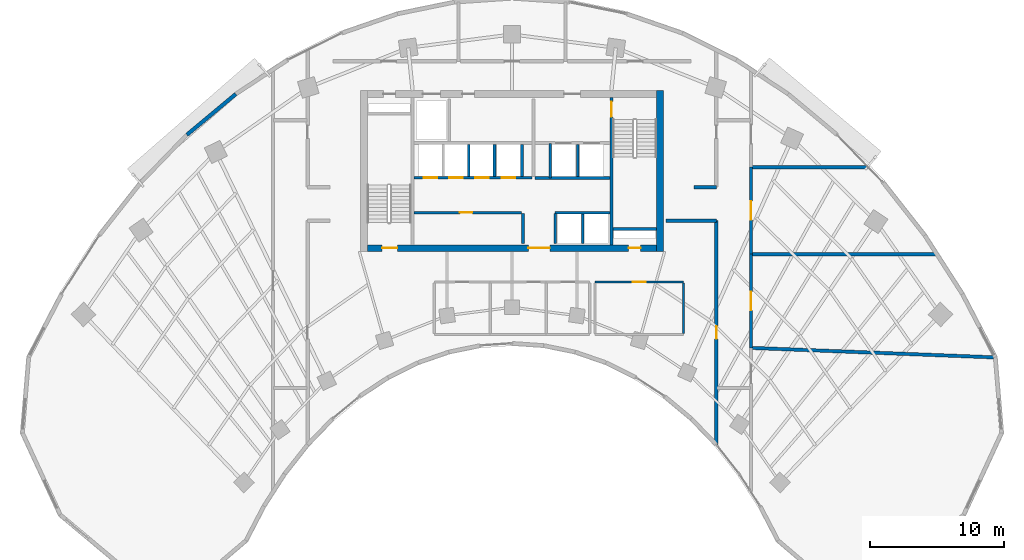
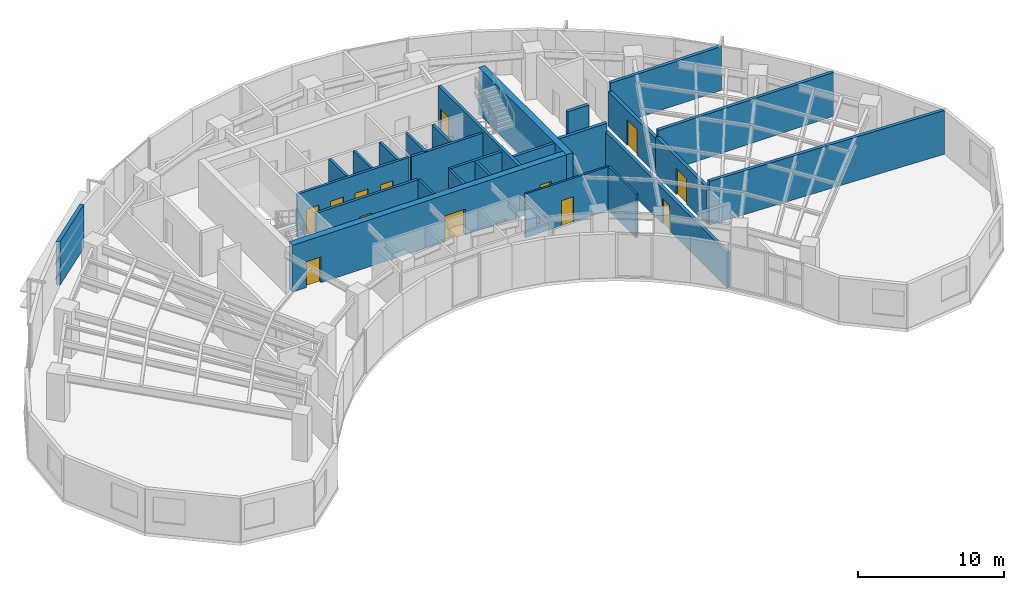
# One storey, part 9 of 13: 27 walls, 13 doors, 13 openings.
"""IFC4 building model written with IfcOpenShell, lengths in metres."""

import ifcopenshell
import ifcopenshell.guid

model = None  # the IFC model being written
_history = None  # IfcOwnerHistory: only IFC2X3 demands one
_inside = {}  # id of a spatial element -> (the spatial element, [elements in it])
_under = {}  # id of a project, library or spatial element -> (it, [spatial elements below it])
_declared = {}  # id of a project -> (the project, [libraries it declares])
_typed = {}  # id of a type object -> (the type object, [elements of that type])
_made_of = {}  # id of a material, layer set ... -> (it, [elements and type objects made of it])


def new_model(schema):
    """Start an empty IFC model of exactly this schema.

    Asked for "IFC4X3", IfcOpenShell would pick the latest addendum, in which some entities
    have other attributes; the version numbers below select the first issue.
    IFC2X3 requires an IfcOwnerHistory on every rooted entity: one is made here for all.
    """
    global model, _history
    if schema == "IFC4X3":
        model = ifcopenshell.file(schema_version=(4, 3, 0, 0))
    else:
        model = ifcopenshell.file(schema=schema)
    _inside.clear()
    _under.clear()
    _declared.clear()
    _typed.clear()
    _made_of.clear()
    _history = None
    if model.schema == "IFC2X3":
        org = make("IfcOrganization", Name="unknown")
        user = make(
            "IfcPersonAndOrganization",
            ThePerson=make("IfcPerson", FamilyName="unknown"),
            TheOrganization=org,
        )
        app = make(
            "IfcApplication",
            ApplicationDeveloper=org,
            Version="unknown",
            ApplicationFullName="unknown",
            ApplicationIdentifier="unknown",
        )
        _history = make(
            "IfcOwnerHistory",
            OwningUser=user,
            OwningApplication=app,
            ChangeAction="ADDED",
            CreationDate=0,
        )
    return model


def make(cls, **values):
    """One entity of the class cls with the attributes given. An attribute that is None is left unset."""
    return model.create_entity(
        cls, **{name: value for name, value in values.items() if value is not None}
    )


def rooted(cls, **values):
    """An entity with a GlobalId (a new one), such as an element, a storey or a relation."""
    return make(cls, GlobalId=ifcopenshell.guid.new(), OwnerHistory=_history, **values)


def si_unit(unit_type, name, prefix=None):
    """IfcSIUnit, for example si_unit("LENGTHUNIT", "METRE", prefix="MILLI")."""
    return make("IfcSIUnit", UnitType=unit_type, Prefix=prefix, Name=name)


def assignment(units):
    """IfcUnitAssignment: the units of a project."""
    return None if units is None else make("IfcUnitAssignment", Units=units)


def point(xyz):
    """IfcCartesianPoint."""
    return None if xyz is None else make("IfcCartesianPoint", Coordinates=xyz)


def direction(xyz):
    """IfcDirection."""
    return None if xyz is None else make("IfcDirection", DirectionRatios=xyz)


def frame(location, z_axis=None, x_axis=None):
    """IfcAxis2Placement3D, a coordinate frame: its origin and axes. An axis left out is left unset."""
    return make(
        "IfcAxis2Placement3D",
        Location=point(location),
        Axis=direction(z_axis),
        RefDirection=direction(x_axis),
    )


def frame_2d(location, x_axis=None):
    """IfcAxis2Placement2D, a coordinate frame in the plane: its origin and x axis."""
    return make(
        "IfcAxis2Placement2D", Location=point(location), RefDirection=direction(x_axis)
    )


def origin():
    """The frame at (0, 0, 0) with its axes left unset."""
    return frame((0.0, 0.0, 0.0))


def place(relative_to, where):
    """IfcLocalPlacement: puts the frame where relative to a parent placement (None: the world)."""
    return make(
        "IfcLocalPlacement", PlacementRelTo=relative_to, RelativePlacement=where
    )


def context(
    kind, dimensions, precision=None, world=None, true_north=None, identifier=None
):
    """IfcGeometricRepresentationContext, for example the 3D "Model" context."""
    return make(
        "IfcGeometricRepresentationContext",
        ContextIdentifier=identifier,
        ContextType=kind,
        CoordinateSpaceDimension=dimensions,
        Precision=precision,
        WorldCoordinateSystem=world,
        TrueNorth=true_north,
    )


def subcontext(parent, identifier, kind, view, scale=None):
    """IfcGeometricRepresentationSubContext, for example "Body" below "Model"."""
    return make(
        "IfcGeometricRepresentationSubContext",
        ContextIdentifier=identifier,
        ContextType=kind,
        ParentContext=parent,
        TargetScale=scale,
        TargetView=view,
    )


def project(units=None, contexts=None):
    """IfcProject with its units and contexts."""
    return rooted(
        "IfcProject",
        Name="project",
        RepresentationContexts=contexts,
        UnitsInContext=assignment(units),
    )


def spatial(cls, under=None, at=None, **own):
    """A site, building, storey or space (cls), placed at a placement, below another one or the project."""
    s = rooted(cls, ObjectPlacement=at, **own)
    if under is not None:
        _under.setdefault(under.id(), (under, []))[1].append(s)
    return s


def profile(cls, at=None, kind="AREA", **sizes):
    """A parametric profile (cls). Its sizes go by their IFC names, for example OverallWidth=200.0."""
    return make(cls, ProfileType=kind, Position=at, **sizes)


def rectangle(**sizes):
    """IfcRectangleProfileDef."""
    return profile("IfcRectangleProfileDef", **sizes)


def extrude(swept, where, along, depth):
    """IfcExtrudedAreaSolid: the profile swept, set in the frame where, extruded along a direction by depth."""
    return make(
        "IfcExtrudedAreaSolid",
        SweptArea=swept,
        Position=where,
        ExtrudedDirection=direction(along),
        Depth=depth,
    )


def shape(context_of_items, identifier, shape_type, items):
    """IfcShapeRepresentation: the items that make up one representation, for example the "Body"."""
    return make(
        "IfcShapeRepresentation",
        ContextOfItems=context_of_items,
        RepresentationIdentifier=identifier,
        RepresentationType=shape_type,
        Items=items,
    )


def source(mapping_origin, context_of_items, identifier, shape_type, items):
    """IfcRepresentationMap: a shape defined once, which mapped items show again and again."""
    return make(
        "IfcRepresentationMap",
        MappingOrigin=mapping_origin,
        MappedRepresentation=shape(context_of_items, identifier, shape_type, items),
    )


def transform(
    local_origin,
    x_axis=None,
    y_axis=None,
    z_axis=None,
    scale=None,
    scale2=None,
    scale3=None,
    uniform=True,
):
    """IfcCartesianTransformationOperator3D, or its non-uniform kind. x_axis, y_axis, z_axis: its Axis1, 2, 3."""
    if uniform:
        return make(
            "IfcCartesianTransformationOperator3D",
            Axis1=direction(x_axis),
            Axis2=direction(y_axis),
            LocalOrigin=point(local_origin),
            Scale=scale,
            Axis3=direction(z_axis),
        )
    return make(
        "IfcCartesianTransformationOperator3DnonUniform",
        Axis1=direction(x_axis),
        Axis2=direction(y_axis),
        LocalOrigin=point(local_origin),
        Scale=scale,
        Axis3=direction(z_axis),
        Scale2=scale2,
        Scale3=scale3,
    )


def mapped(mapping_source, mapping_target):
    """IfcMappedItem: shows the shape of a source again, moved by a transform."""
    return make(
        "IfcMappedItem", MappingSource=mapping_source, MappingTarget=mapping_target
    )


def material(Name=None, Category=None):
    """IfcMaterial."""
    return make("IfcMaterial", Name=Name, Category=Category)


def layer(
    of_material, thickness, ventilated=None, Name=None, Category=None, Priority=None
):
    """IfcMaterialLayer: one layer of a wall or slab, of a material (None: an air gap)."""
    return make(
        "IfcMaterialLayer",
        Material=of_material,
        LayerThickness=thickness,
        IsVentilated=ventilated,
        Name=Name,
        Category=Category,
        Priority=Priority,
    )


def layer_set(layers, Name=None):
    """IfcMaterialLayerSet."""
    return make("IfcMaterialLayerSet", MaterialLayers=layers, LayerSetName=Name)


def made_of(thing, what):
    """Note that an element or type object is made of a material, layer set ...; save() writes the relation."""
    if what is not None:
        _made_of.setdefault(what.id(), (what, []))[1].append(thing)
    return thing


def type_object(cls, material=None, **own):
    """A type object (cls), such as IfcWallType, which elements share."""
    return made_of(rooted(cls, **own), material)


def type_shapes(of_type, sources):
    """Give a type object the sources (RepresentationMaps) that its elements show as mapped items."""
    of_type.RepresentationMaps = sources


def element(
    cls,
    number,
    at=None,
    inside=None,
    cuts=None,
    type_object=None,
    material=None,
    context=None,
    identifier="Body",
    shape_type=None,
    held_by="IfcProductDefinitionShape",
    body=None,
    shapes=None,
    **own,
):
    """One element of the class cls, such as IfcWall. Its Tag is "e" and its number.

    at: its placement. inside: the storey or other place that contains it. cuts: it is an
    opening in that element (IfcRelVoidsElement). A single representation is given by context,
    identifier, shape_type and body (its items); several are given by shapes. held_by: the class
    of the entity that holds the representations. save() writes the other relations.
    """
    e = rooted(cls, Tag="e%d" % number, ObjectPlacement=at, **own)
    if body is not None:
        shapes = [shape(context, identifier, shape_type, body)]
    if shapes is not None:
        e.Representation = make(held_by, Representations=shapes)
    if inside is not None:
        _inside.setdefault(inside.id(), (inside, []))[1].append(e)
    if cuts is not None:
        rooted(
            "IfcRelVoidsElement", RelatingBuildingElement=cuts, RelatedOpeningElement=e
        )
    if type_object is not None:
        _typed.setdefault(type_object.id(), (type_object, []))[1].append(e)
    return made_of(e, material)


def fill(opening, filler):
    """IfcRelFillsElement: the door or window that sits in an opening."""
    return rooted(
        "IfcRelFillsElement",
        RelatingOpeningElement=opening,
        RelatedBuildingElement=filler,
    )


def aggregate(whole, parts):
    """IfcRelAggregates: a whole, such as a stair, and the parts it consists of."""
    return rooted("IfcRelAggregates", RelatingObject=whole, RelatedObjects=parts)


def save(model, path):
    """Write the relations noted so far, then the file.

    IfcRelAggregates (storeys below a building ...), IfcRelContainedInSpatialStructure (elements
    in a storey), IfcRelDefinesByType, IfcRelAssociatesMaterial and IfcRelDeclares: one each for
    every whole, place, type object, material and project.
    """
    for whole, parts in _under.values():
        aggregate(whole, parts)
    for where, things in _inside.values():
        rooted(
            "IfcRelContainedInSpatialStructure",
            RelatedElements=things,
            RelatingStructure=where,
        )
    for kind, things in _typed.values():
        rooted("IfcRelDefinesByType", RelatedObjects=things, RelatingType=kind)
    for what, things in _made_of.values():
        rooted("IfcRelAssociatesMaterial", RelatedObjects=things, RelatingMaterial=what)
    for by, libraries in _declared.values():
        rooted("IfcRelDeclares", RelatingContext=by, RelatedDefinitions=libraries)
    model.write(path)


model = new_model("IFC4")

# Units and contexts
model_context = context("Model", 3, precision=1e-05, world=origin(), true_north=direction((0.0, 1.0)))
body_context = subcontext(model_context, "Body", "Model", "MODEL_VIEW")
ifc_project = project(units=[si_unit("LENGTHUNIT", "METRE"), si_unit("AREAUNIT", "SQUARE_METRE"), si_unit("VOLUMEUNIT", "CUBIC_METRE"), si_unit("PLANEANGLEUNIT", "RADIAN"), si_unit("MASSUNIT", "GRAM", prefix="KILO")], contexts=[model_context])

# Site, building, storey
site_placement = place(None, origin())
site = spatial("IfcSite", under=ifc_project, at=site_placement, CompositionType="ELEMENT")
building_placement = place(site_placement, origin())
building = spatial("IfcBuilding", under=site, at=building_placement, Name="Breltana Convention Tower", CompositionType="ELEMENT")
storey_placement = place(building_placement, frame((0.0, 0.0, 127.199951171875)))
storey = spatial("IfcBuildingStorey", under=building, at=storey_placement, Name="L30", CompositionType="ELEMENT", Elevation=127.199951171875)

# Wall
ifc_material_1 = material(Name="Concrete C60/75", Category="concrete")
ifc_layer_1 = layer(ifc_material_1, 0.5, Name="Concrete C60/75")
ifc_layer_set_1 = layer_set([ifc_layer_1], Name="Concrete C60/75")
wall_type_1 = type_object("IfcWallType", Name="SW-CORE-500", PredefinedType="SHEAR", material=ifc_layer_set_1)
shared_shape_1 = source(origin(), body_context, "Body", "SweptSolid", [
    extrude(rectangle(XDim=12.0, YDim=0.5, at=frame_2d((6.0, 0.0))), origin(), (0.0, 0.0, 1.0), 3.900146484375),
])
wall_1_placement = place(storey_placement, frame((59.050048828125, 60.199951171875, 0.0), z_axis=(0.0, 0.0, 1.0), x_axis=(0.0, 1.0, 0.0)))
element("IfcWall", 1, at=wall_1_placement, inside=storey, type_object=wall_type_1, Name="L30 East Core Shear Wall", PredefinedType="SHEAR", context=body_context, shape_type="MappedRepresentation", body=[
    mapped(shared_shape_1, transform((0.0, 0.0, 0.0), scale=1.0)),
])

# Wall, openings, doors
shared_shape_2 = source(origin(), body_context, "Body", "SweptSolid", [
    extrude(rectangle(XDim=21.60009765625, YDim=0.5, at=frame_2d((10.800048828125, 0.0))), origin(), (0.0, 0.0, 1.0), 3.900146484375),
])
wall_2_placement = place(storey_placement, frame((37.199951171875, 60.449951171875, 0.0), z_axis=(0.0, 0.0, 1.0), x_axis=(1.0, 0.0, 0.0)))
wall_2 = element("IfcWall", 2, at=wall_2_placement, inside=storey, type_object=wall_type_1, Name="L30 South Core Shear Wall", PredefinedType="SHEAR", context=body_context, shape_type="MappedRepresentation", body=[
    mapped(shared_shape_2, transform((0.0, 0.0, 0.0), scale=1.0)),
])
opening_1_placement = place(wall_2_placement, frame((1.10009765625, 0.0, 0.0)))
opening_1 = element("IfcOpeningElement", 3, at=opening_1_placement, cuts=wall_2, Name="Opening D-11", PredefinedType="OPENING", context=body_context, shape_type="SweptSolid", body=[
    extrude(rectangle(XDim=1.14990234375, YDim=2.14990234375, at=frame_2d((0.574951171875, 1.074951171875))), frame((0.0, 0.260009765625, 0.0), z_axis=(0.0, -1.0, 0.0), x_axis=(1.0, 0.0, 0.0)), (0.0, 0.0, 1.0), 0.52001953125),
])
opening_2_placement = place(wall_2_placement, frame((19.5, 0.0, 0.0)))
opening_2 = element("IfcOpeningElement", 4, at=opening_2_placement, cuts=wall_2, Name="Opening D-18", PredefinedType="OPENING", context=body_context, shape_type="SweptSolid", body=[
    extrude(rectangle(XDim=0.89990234375, YDim=2.10009765625, at=frame_2d((0.449951171875, 1.050048828125))), frame((0.0, 0.260009765625, 0.0), z_axis=(0.0, -1.0, 0.0), x_axis=(1.0, 0.0, 0.0)), (0.0, 0.0, 1.0), 0.52001953125),
])
opening_3_placement = place(wall_2_placement, frame((12.02001953125, 0.0, 0.0)))
opening_3 = element("IfcOpeningElement", 5, at=opening_3_placement, cuts=wall_2, Name="Opening D-02", PredefinedType="OPENING", context=body_context, shape_type="SweptSolid", body=[
    extrude(rectangle(XDim=1.60009765625, YDim=2.14990234375, at=frame_2d((0.800048828125, 1.074951171875))), frame((0.0, 0.260009765625, 0.0), z_axis=(0.0, -1.0, 0.0), x_axis=(1.0, 0.0, 0.0)), (0.0, 0.0, 1.0), 0.52001953125),
])
ifc_material_2 = material(Name="Steel Stair Exit Door", Category="steel")
door_type_1 = type_object("IfcDoorType", Name="DR-FD120-1150", OperationType="NOTDEFINED", PredefinedType="DOOR", material=ifc_material_2)
shared_shape_3 = source(origin(), body_context, "Body", "SweptSolid", [
    extrude(rectangle(XDim=1.14990234375, YDim=2.14990234375, at=frame_2d((0.574951171875, 1.074951171875))), frame((0.0, 0.02490234375, 0.0), z_axis=(0.0, -1.0, 0.0), x_axis=(1.0, 0.0, 0.0)), (0.0, 0.0, 1.0), 0.050048828125),
])
type_shapes(door_type_1, [shared_shape_3])
door_1_placement = place(opening_1_placement, origin())
door_1 = element("IfcDoor", 6, at=door_1_placement, inside=storey, type_object=door_type_1, Name="L30 interior door D-L30-ST1", OperationType="SINGLE_SWING_LEFT", OverallHeight=2.14990234375, OverallWidth=1.14990234375, PredefinedType="DOOR", context=body_context, shape_type="MappedRepresentation", body=[
    mapped(shared_shape_3, transform((0.0, 0.0, 0.0), scale=1.0)),
])
fill(opening_1, door_1)
ifc_material_3 = material(Name="Steel Riser Fire Door", Category="steel")
door_type_2 = type_object("IfcDoorType", Name="DR-FD60-900", OperationType="NOTDEFINED", PredefinedType="DOOR", material=ifc_material_3)
shared_shape_4 = source(origin(), body_context, "Body", "SweptSolid", [
    extrude(rectangle(XDim=0.89990234375, YDim=2.10009765625, at=frame_2d((0.449951171875, 1.050048828125))), frame((0.0, 0.02490234375, 0.0), z_axis=(0.0, -1.0, 0.0), x_axis=(1.0, 0.0, 0.0)), (0.0, 0.0, 1.0), 0.050048828125),
])
type_shapes(door_type_2, [shared_shape_4])
door_2_placement = place(opening_2_placement, origin())
door_2 = element("IfcDoor", 7, at=door_2_placement, inside=storey, type_object=door_type_2, Name="L30 Core Riser Access Door D-L30-RS2", OperationType="SINGLE_SWING_RIGHT", OverallHeight=2.10009765625, OverallWidth=0.89990234375, PredefinedType="DOOR", context=body_context, shape_type="MappedRepresentation", body=[
    mapped(shared_shape_4, transform((0.0, 0.0, 0.0), scale=1.0)),
])
fill(opening_2, door_2)
ifc_material_4 = material(Name="Steel Glazed Smoke-Control Door", Category="steel")
door_type_3 = type_object("IfcDoorType", Name="DR-DBL-FD90-1600", OperationType="DOUBLE_DOOR_SINGLE_SWING", PredefinedType="DOOR", material=ifc_material_4)
shared_shape_5 = source(origin(), body_context, "Body", "SweptSolid", [
    extrude(rectangle(XDim=1.60009765625, YDim=2.14990234375, at=frame_2d((0.800048828125, 1.074951171875))), frame((0.0, 0.02490234375, 0.0), z_axis=(0.0, -1.0, 0.0), x_axis=(1.0, 0.0, 0.0)), (0.0, 0.0, 1.0), 0.050048828125),
])
type_shapes(door_type_3, [shared_shape_5])
door_3_placement = place(opening_3_placement, origin())
door_3 = element("IfcDoor", 8, at=door_3_placement, inside=storey, type_object=door_type_3, Name="L30 interior door D-L30-LLB-S", OperationType="DOUBLE_DOOR_SINGLE_SWING", OverallHeight=2.14990234375, OverallWidth=1.60009765625, PredefinedType="DOOR", context=body_context, shape_type="MappedRepresentation", body=[
    mapped(shared_shape_5, transform((0.0, 0.0, 0.0), scale=1.0)),
])
fill(opening_3, door_3)

# Wall
ifc_material_5 = material(Name="Concrete C50/60", Category="concrete")
ifc_layer_2 = layer(ifc_material_5, 0.39990234375, Name="Concrete C50/60")
ifc_layer_set_2 = layer_set([ifc_layer_2], Name="Concrete C50/60")
wall_type_2 = type_object("IfcWallType", Name="SW-CORE-400", PredefinedType="SHEAR", material=ifc_layer_set_2)
shared_shape_6 = source(origin(), body_context, "Body", "SweptSolid", [
    extrude(rectangle(XDim=3.27001953125, YDim=0.219970703125, at=frame_2d((1.635009765625, 0.0))), origin(), (0.0, 0.0, 1.0), 3.900146484375),
])
wall_3_placement = place(storey_placement, frame((55.530029296875, 61.889892578125, 0.0), z_axis=(0.0, 0.0, 1.0), x_axis=(1.0, 0.0, 0.0)))
element("IfcWall", 9, at=wall_3_placement, inside=storey, type_object=wall_type_2, Name="L30 ST-2 Stairwell South Bearing Wall", PredefinedType="SHEAR", context=body_context, shape_type="MappedRepresentation", body=[
    mapped(shared_shape_6, transform((0.0, 0.0, 0.0), scale=1.0)),
])

# Wall, opening, door
shared_shape_7 = source(origin(), body_context, "Body", "SweptSolid", [
    extrude(rectangle(XDim=11.0, YDim=0.219970703125, at=frame_2d((5.5, 0.0))), origin(), (0.0, 0.0, 1.0), 3.900146484375),
])
wall_4_placement = place(storey_placement, frame((55.419921875, 60.699951171875, 0.0), z_axis=(0.0, 0.0, 1.0), x_axis=(0.0, 1.0, 0.0)))
wall_4 = element("IfcWall", 10, at=wall_4_placement, inside=storey, type_object=wall_type_2, Name="L30 Core East Stair Spine Wall", PredefinedType="SHEAR", context=body_context, shape_type="MappedRepresentation", body=[
    mapped(shared_shape_7, transform((0.0, 0.0, 0.0), scale=1.0)),
])
opening_4_placement = place(wall_4_placement, frame((9.544921875, 0.0, 0.0)))
opening_4 = element("IfcOpeningElement", 11, at=opening_4_placement, cuts=wall_4, Name="Opening D-11", PredefinedType="OPENING", context=body_context, shape_type="SweptSolid", body=[
    extrude(rectangle(XDim=1.14990234375, YDim=2.14990234375, at=frame_2d((0.574951171875, 1.074951171875))), frame((0.0, 0.1201171875, 0.0), z_axis=(0.0, -1.0, 0.0), x_axis=(1.0, 0.0, 0.0)), (0.0, 0.0, 1.0), 0.239990234375),
])
door_4_placement = place(opening_4_placement, origin())
door_4 = element("IfcDoor", 12, at=door_4_placement, inside=storey, type_object=door_type_1, Name="L30 interior door D-L30-ST2", OperationType="SINGLE_SWING_LEFT", OverallHeight=2.14990234375, OverallWidth=1.14990234375, PredefinedType="DOOR", context=body_context, shape_type="MappedRepresentation", body=[
    mapped(shared_shape_3, transform((0.0, 0.0, 0.0), scale=1.0)),
])
fill(opening_4, door_4)

# Walls
ifc_material_6 = material(Name="Limestone Buff Insulated Wall", Category="masonry")
ifc_layer_3 = layer(ifc_material_6, 0.280029296875, Name="Limestone Buff Insulated Wall")
ifc_layer_set_3 = layer_set([ifc_layer_3], Name="Limestone Buff Insulated Wall")
wall_type_3 = type_object("IfcWallType", Name="WL-EXT-NOSE-280", PredefinedType="SOLIDWALL", material=ifc_layer_set_3)
shared_shape_8 = source(origin(), body_context, "Body", "SweptSolid", [
    extrude(rectangle(XDim=4.76220703125, YDim=0.280029296875, at=frame_2d((2.381103515625, 0.0))), origin(), (0.0, 0.0, 1.0), 3.650146484375),
])
wall_5_placement = place(storey_placement, frame((23.724609375, 68.907470703125, 0.0), z_axis=(0.0, 0.0, 1.0), x_axis=(0.767952279762, 0.640507061638, 0.0)))
element("IfcWall", 13, at=wall_5_placement, inside=storey, type_object=wall_type_3, Name="L30 curved limestone nose wall E22", PredefinedType="SOLIDWALL", context=body_context, shape_type="MappedRepresentation", body=[
    mapped(shared_shape_8, transform((0.0, 0.0, 0.0), scale=1.0)),
])
ifc_material_7 = material(Name="Autoclaved Aerated Concrete Block", Category="concrete")
ifc_layer_4 = layer(ifc_material_7, 0.199951171875, Name="Autoclaved Aerated Concrete Block")
ifc_layer_set_4 = layer_set([ifc_layer_4], Name="Autoclaved Aerated Concrete Block")
wall_type_4 = type_object("IfcWallType", Name="WL-SHAFT-200", PredefinedType="SOLIDWALL", material=ifc_layer_set_4)
shared_shape_9 = source(origin(), body_context, "Body", "SweptSolid", [
    extrude(rectangle(XDim=2.239990234375, YDim=0.199951171875, at=frame_2d((1.1201171875, 0.0))), origin(), (0.0, 0.0, 1.0), 3.650146484375),
])
for number, where, z_axis, x_axis, name in (
    (14, (48.820068359375, 60.780029296875, 0.0), (0.0, 0.0, 1.0), (0.0, 1.0, 0.0), "L30 interior partition W-L30-PORT-W"),
    (15, (51.219970703125, 60.780029296875, 0.0), (0.0, 0.0, 1.0), (0.0, 1.0, 0.0), "L30 interior partition W-L30-PORT-E"),
):
    element("IfcWall", number, at=place(storey_placement, frame(where, z_axis=z_axis, x_axis=x_axis)), inside=storey, type_object=wall_type_4, Name=name, PredefinedType="SOLIDWALL", context=body_context, shape_type="MappedRepresentation", body=[
        mapped(shared_shape_9, transform((0.0, 0.0, 0.0), scale=1.0)),
    ])
shared_shape_10 = source(origin(), body_context, "Body", "SweptSolid", [
    extrude(rectangle(XDim=5.6201171875, YDim=0.199951171875, at=frame_2d((2.81005859375, 0.0))), origin(), (0.0, 0.0, 1.0), 3.650146484375),
])
wall_6_placement = place(storey_placement, frame((49.699951171875, 65.679931640625, 0.0), z_axis=(0.0, 0.0, 1.0), x_axis=(1.0, 0.0, 0.0)))
element("IfcWall", 16, at=wall_6_placement, inside=storey, type_object=wall_type_4, Name="L30 interior partition W-L30-FL-S", PredefinedType="SOLIDWALL", context=body_context, shape_type="MappedRepresentation", body=[
    mapped(shared_shape_10, transform((0.0, 0.0, 0.0), scale=1.0)),
])
shared_shape_11 = source(origin(), body_context, "Body", "SweptSolid", [
    extrude(rectangle(XDim=2.580078125, YDim=0.199951171875, at=frame_2d((1.2900390625, 0.0))), origin(), (0.0, 0.0, 1.0), 3.650146484375),
])
wall_7_placement = place(storey_placement, frame((50.85009765625, 65.679931640625, 0.0), z_axis=(0.0, 0.0, 1.0), x_axis=(0.0, 1.0, 0.0)))
element("IfcWall", 17, at=wall_7_placement, inside=storey, type_object=wall_type_4, Name="L30 interior partition W-L30-FL-W", PredefinedType="SOLIDWALL", context=body_context, shape_type="MappedRepresentation", body=[
    mapped(shared_shape_11, transform((0.0, 0.0, 0.0), scale=1.0)),
])
shared_shape_12 = source(origin(), body_context, "Body", "SweptSolid", [
    extrude(rectangle(XDim=2.39990234375, YDim=0.199951171875, at=frame_2d((1.199951171875, 0.0))), origin(), (0.0, 0.0, 1.0), 3.650146484375),
])
for number, where, z_axis, x_axis, name in (
    (18, (52.89990234375, 65.800048828125, 0.0), (0.0, 0.0, 1.0), (0.0, 1.0, 0.0), "L30 interior partition W-L30-FL-DIV"),
    (19, (48.75, 65.800048828125, 0.0), (0.0, 0.0, 1.0), (0.0, 1.0, 0.0), "L30 interior partition W-L30-SH-M-END"),
    (20, (44.77001953125, 65.800048828125, 0.0), (0.0, 0.0, 1.0), (0.0, 1.0, 0.0), "L30 interior partition W-L30-SH-M-DIV2"),
    (21, (46.699951171875, 65.800048828125, 0.0), (0.0, 0.0, 1.0), (0.0, 1.0, 0.0), "L30 interior partition W-L30-SH-M-DIV3"),
):
    element("IfcWall", number, at=place(storey_placement, frame(where, z_axis=z_axis, x_axis=x_axis)), inside=storey, type_object=wall_type_4, Name=name, PredefinedType="SOLIDWALL", context=body_context, shape_type="MappedRepresentation", body=[
        mapped(shared_shape_12, transform((0.0, 0.0, 0.0), scale=1.0)),
    ])

# Wall, openings, doors
shared_shape_13 = source(origin(), body_context, "Body", "SweptSolid", [
    extrude(rectangle(XDim=8.800048828125, YDim=0.199951171875, at=frame_2d((4.39990234375, 0.0))), origin(), (0.0, 0.0, 1.0), 3.650146484375),
])
wall_8_placement = place(storey_placement, frame((40.699951171875, 65.699951171875, 0.0), z_axis=(0.0, 0.0, 1.0), x_axis=(1.0, 0.0, 0.0)))
wall_8 = element("IfcWall", 22, at=wall_8_placement, inside=storey, type_object=wall_type_4, Name="L30 interior partition W-L30-SH-M-FRONT", PredefinedType="SOLIDWALL", context=body_context, shape_type="MappedRepresentation", body=[
    mapped(shared_shape_13, transform((0.0, 0.0, 0.0), scale=1.0)),
])
opening_5_placement = place(wall_8_placement, frame((0.719970703125, 0.0, 0.0)))
opening_5 = element("IfcOpeningElement", 23, at=opening_5_placement, cuts=wall_8, Name="Opening LD-04", PredefinedType="OPENING", context=body_context, shape_type="SweptSolid", body=[
    extrude(rectangle(XDim=1.0, YDim=2.14990234375, at=frame_2d((0.5, 1.074951171875))), frame((0.0, 0.10986328125, 0.0), z_axis=(0.0, -1.0, 0.0), x_axis=(1.0, 0.0, 0.0)), (0.0, 0.0, 1.0), 0.219970703125),
])
opening_6_placement = place(wall_8_placement, frame((2.6201171875, 0.0, 0.0)))
opening_6 = element("IfcOpeningElement", 24, at=opening_6_placement, cuts=wall_8, Name="Opening LD-04", PredefinedType="OPENING", context=body_context, shape_type="SweptSolid", body=[
    extrude(rectangle(XDim=1.0, YDim=2.14990234375, at=frame_2d((0.5, 1.074951171875))), frame((0.0, 0.10986328125, 0.0), z_axis=(0.0, -1.0, 0.0), x_axis=(1.0, 0.0, 0.0)), (0.0, 0.0, 1.0), 0.219970703125),
])
opening_7_placement = place(wall_8_placement, frame((4.550048828125, 0.0, 0.0)))
opening_7 = element("IfcOpeningElement", 25, at=opening_7_placement, cuts=wall_8, Name="Opening LD-04", PredefinedType="OPENING", context=body_context, shape_type="SweptSolid", body=[
    extrude(rectangle(XDim=1.0, YDim=2.14990234375, at=frame_2d((0.5, 1.074951171875))), frame((0.0, 0.10986328125, 0.0), z_axis=(0.0, -1.0, 0.0), x_axis=(1.0, 0.0, 0.0)), (0.0, 0.0, 1.0), 0.219970703125),
])
opening_8_placement = place(wall_8_placement, frame((6.550048828125, 0.0, 0.0)))
opening_8 = element("IfcOpeningElement", 26, at=opening_8_placement, cuts=wall_8, Name="Opening LD-04", PredefinedType="OPENING", context=body_context, shape_type="SweptSolid", body=[
    extrude(rectangle(XDim=1.0, YDim=2.14990234375, at=frame_2d((0.5, 1.074951171875))), frame((0.0, 0.10986328125, 0.0), z_axis=(0.0, -1.0, 0.0), x_axis=(1.0, 0.0, 0.0)), (0.0, 0.0, 1.0), 0.219970703125),
])
ifc_material_8 = material(Name="Stainless Steel Brushed", Category="steel")
door_type_4 = type_object("IfcDoorType", Name="DR-LD-PAX-1000", OperationType="DOUBLE_DOOR_SLIDING", PredefinedType="DOOR", material=ifc_material_8)
shared_shape_14 = source(origin(), body_context, "Body", "SweptSolid", [
    extrude(rectangle(XDim=1.0, YDim=2.14990234375, at=frame_2d((0.5, 1.074951171875))), frame((0.0, 0.02490234375, 0.0), z_axis=(0.0, -1.0, 0.0), x_axis=(1.0, 0.0, 0.0)), (0.0, 0.0, 1.0), 0.050048828125),
])
type_shapes(door_type_4, [shared_shape_14])
door_5_placement = place(opening_5_placement, origin())
door_5 = element("IfcDoor", 27, at=door_5_placement, inside=storey, type_object=door_type_4, Name="L30 Lift Landing Door D-L30-LD-M1", OperationType="DOUBLE_DOOR_SLIDING", OverallHeight=2.14990234375, OverallWidth=1.0, PredefinedType="DOOR", context=body_context, shape_type="MappedRepresentation", body=[
    mapped(shared_shape_14, transform((0.0, 0.0, 0.0), scale=1.0)),
])
fill(opening_5, door_5)
door_6_placement = place(opening_6_placement, origin())
door_6 = element("IfcDoor", 28, at=door_6_placement, inside=storey, type_object=door_type_4, Name="L30 Lift Landing Door D-L30-LD-M2", OperationType="DOUBLE_DOOR_SLIDING", OverallHeight=2.14990234375, OverallWidth=1.0, PredefinedType="DOOR", context=body_context, shape_type="MappedRepresentation", body=[
    mapped(shared_shape_14, transform((0.0, 0.0, 0.0), scale=1.0)),
])
fill(opening_6, door_6)
door_7_placement = place(opening_7_placement, origin())
door_7 = element("IfcDoor", 29, at=door_7_placement, inside=storey, type_object=door_type_4, Name="L30 Lift Landing Door D-L30-LD-M3", OperationType="DOUBLE_DOOR_SLIDING", OverallHeight=2.14990234375, OverallWidth=1.0, PredefinedType="DOOR", context=body_context, shape_type="MappedRepresentation", body=[
    mapped(shared_shape_14, transform((0.0, 0.0, 0.0), scale=1.0)),
])
fill(opening_7, door_7)
door_8_placement = place(opening_8_placement, origin())
door_8 = element("IfcDoor", 30, at=door_8_placement, inside=storey, type_object=door_type_4, Name="L30 Lift Landing Door D-L30-LD-M4", OperationType="DOUBLE_DOOR_SLIDING", OverallHeight=2.14990234375, OverallWidth=1.0, PredefinedType="DOOR", context=body_context, shape_type="MappedRepresentation", body=[
    mapped(shared_shape_14, transform((0.0, 0.0, 0.0), scale=1.0)),
])
fill(opening_8, door_8)

# Wall, opening, door
shared_shape_15 = source(origin(), body_context, "Body", "SweptSolid", [
    extrude(rectangle(XDim=8.02001953125, YDim=0.199951171875, at=frame_2d((4.010009765625, 0.0))), origin(), (0.0, 0.0, 1.0), 3.650146484375),
])
wall_9_placement = place(storey_placement, frame((40.699951171875, 63.10009765625, 0.0), z_axis=(0.0, 0.0, 1.0), x_axis=(1.0, 0.0, 0.0)))
wall_9 = element("IfcWall", 31, at=wall_9_placement, inside=storey, type_object=wall_type_4, Name="L30 interior partition W-L30-SH-S-FRONT", PredefinedType="SOLIDWALL", context=body_context, shape_type="MappedRepresentation", body=[
    mapped(shared_shape_15, transform((0.0, 0.0, 0.0), scale=1.0)),
])
opening_9_placement = place(wall_9_placement, frame((3.39990234375, 0.0, 0.0)))
opening_9 = element("IfcOpeningElement", 32, at=opening_9_placement, cuts=wall_9, Name="Opening D-14", PredefinedType="OPENING", context=body_context, shape_type="SweptSolid", body=[
    extrude(rectangle(XDim=0.949951171875, YDim=2.14990234375, at=frame_2d((0.47509765625, 1.074951171875))), frame((0.0, 0.10986328125, 0.0), z_axis=(0.0, -1.0, 0.0), x_axis=(1.0, 0.0, 0.0)), (0.0, 0.0, 1.0), 0.219970703125),
])
ifc_material_9 = material(Name="Timber Solid-Core Fire Door", Category="wood")
door_type_5 = type_object("IfcDoorType", Name="DR-FD60-950", OperationType="NOTDEFINED", PredefinedType="DOOR", material=ifc_material_9)
shared_shape_16 = source(origin(), body_context, "Body", "SweptSolid", [
    extrude(rectangle(XDim=0.949951171875, YDim=2.14990234375, at=frame_2d((0.47509765625, 1.074951171875))), frame((0.0, 0.02490234375, 0.0), z_axis=(0.0, -1.0, 0.0), x_axis=(1.0, 0.0, 0.0)), (0.0, 0.0, 1.0), 0.050048828125),
])
type_shapes(door_type_5, [shared_shape_16])
door_9_placement = place(opening_9_placement, origin())
door_9 = element("IfcDoor", 33, at=door_9_placement, inside=storey, type_object=door_type_5, Name="L30 interior door D-L30-LV7-B1A", OperationType="SINGLE_SWING_LEFT", OverallHeight=2.14990234375, OverallWidth=0.949951171875, PredefinedType="DOOR", context=body_context, shape_type="MappedRepresentation", body=[
    mapped(shared_shape_16, transform((0.0, 0.0, 0.0), scale=1.0)),
])
fill(opening_9, door_9)

# Walls
shared_shape_17 = source(origin(), body_context, "Body", "SweptSolid", [
    extrude(rectangle(XDim=4.10009765625, YDim=0.199951171875, at=frame_2d((2.050048828125, 0.0))), origin(), (0.0, 0.0, 1.0), 3.650146484375),
])
wall_10_placement = place(storey_placement, frame((51.219970703125, 63.10009765625, 0.0), z_axis=(0.0, 0.0, 1.0), x_axis=(1.0, 0.0, 0.0)))
element("IfcWall", 34, at=wall_10_placement, inside=storey, type_object=wall_type_4, Name="L30 interior partition W-L30-SH-X-FRONT", PredefinedType="SOLIDWALL", context=body_context, shape_type="MappedRepresentation", body=[
    mapped(shared_shape_17, transform((0.0, 0.0, 0.0), scale=1.0)),
])
shared_shape_18 = source(origin(), body_context, "Body", "SweptSolid", [
    extrude(rectangle(XDim=2.199951171875, YDim=0.199951171875, at=frame_2d((1.10009765625, 0.0))), origin(), (0.0, 0.0, 1.0), 3.650146484375),
])
wall_11_placement = place(storey_placement, frame((53.280029296875, 60.800048828125, 0.0), z_axis=(0.0, 0.0, 1.0), x_axis=(0.0, 1.0, 0.0)))
element("IfcWall", 35, at=wall_11_placement, inside=storey, type_object=wall_type_4, Name="L30 interior partition W-L30-SH-X-DIV", PredefinedType="SOLIDWALL", context=body_context, shape_type="MappedRepresentation", body=[
    mapped(shared_shape_18, transform((0.0, 0.0, 0.0), scale=1.0)),
])

# Wall, opening, door
ifc_material_10 = material(Name="Gypsum Acoustic Drywall Partition")
ifc_layer_5 = layer(ifc_material_10, 0.14990234375, Name="Gypsum Acoustic Drywall Partition")
ifc_layer_set_5 = layer_set([ifc_layer_5], Name="Gypsum Acoustic Drywall Partition")
wall_type_5 = type_object("IfcWallType", Name="WL-PART-150", PredefinedType="PARTITIONING", material=ifc_layer_set_5)
shared_shape_19 = source(origin(), body_context, "Body", "SweptSolid", [
    extrude(rectangle(XDim=6.60009765625, YDim=0.14990234375, at=frame_2d((3.300048828125, 0.0))), origin(), (0.0, 0.0, 1.0), 3.650146484375),
])
wall_12_placement = place(storey_placement, frame((54.199951171875, 57.919921875, 0.0), z_axis=(0.0, 0.0, 1.0), x_axis=(1.0, 0.0, 0.0)))
wall_12 = element("IfcWall", 36, at=wall_12_placement, inside=storey, type_object=wall_type_5, Name="L30 interior partition W-L30-PNT-N", PredefinedType="PARTITIONING", context=body_context, shape_type="MappedRepresentation", body=[
    mapped(shared_shape_19, transform((0.0, 0.0, 0.0), scale=1.0)),
])
opening_10_placement = place(wall_12_placement, frame((2.824951171875, 0.0, 0.0)))
opening_10 = element("IfcOpeningElement", 37, at=opening_10_placement, cuts=wall_12, Name="Opening D-17", PredefinedType="OPENING", context=body_context, shape_type="SweptSolid", body=[
    extrude(rectangle(XDim=0.949951171875, YDim=2.10009765625, at=frame_2d((0.47509765625, 1.050048828125))), frame((0.0, 0.0849609375, 0.0), z_axis=(0.0, -1.0, 0.0), x_axis=(1.0, 0.0, 0.0)), (0.0, 0.0, 1.0), 0.169921875),
])
ifc_material_11 = material(Name="Timber Oak Veneer Door", Category="wood")
door_type_6 = type_object("IfcDoorType", Name="DR-INT-950", OperationType="NOTDEFINED", PredefinedType="DOOR", material=ifc_material_11)
shared_shape_20 = source(origin(), body_context, "Body", "SweptSolid", [
    extrude(rectangle(XDim=0.949951171875, YDim=2.10009765625, at=frame_2d((0.47509765625, 1.050048828125))), frame((0.0, 0.02490234375, 0.0), z_axis=(0.0, -1.0, 0.0), x_axis=(1.0, 0.0, 0.0)), (0.0, 0.0, 1.0), 0.050048828125),
])
type_shapes(door_type_6, [shared_shape_20])
door_10_placement = place(opening_10_placement, origin())
door_10 = element("IfcDoor", 38, at=door_10_placement, inside=storey, type_object=door_type_6, Name="L30 interior door D-L30-PNT", OperationType="SINGLE_SWING_LEFT", OverallHeight=2.10009765625, OverallWidth=0.949951171875, PredefinedType="DOOR", context=body_context, shape_type="MappedRepresentation", body=[
    mapped(shared_shape_20, transform((0.0, 0.0, 0.0), scale=1.0)),
])
fill(opening_10, door_10)

# Walls
shared_shape_21 = source(origin(), body_context, "Body", "SweptSolid", [
    extrude(rectangle(XDim=3.78515625, YDim=0.14990234375, at=frame_2d((1.892578125, 0.0))), origin(), (0.0, 0.0, 1.0), 3.650146484375),
])
wall_13_placement = place(storey_placement, frame((60.800048828125, 54.0673828125, 0.0), z_axis=(0.0, 0.0, 1.0), x_axis=(0.0, 1.0, 0.0)))
element("IfcWall", 39, at=wall_13_placement, inside=storey, type_object=wall_type_5, Name="L30 interior partition W-L30-PNT-E", PredefinedType="PARTITIONING", context=body_context, shape_type="MappedRepresentation", body=[
    mapped(shared_shape_21, transform((0.0, 0.0, 0.0), scale=1.0)),
])
ifc_material_12 = material(Name="Gypsum Acoustic Double Stud Wall")
ifc_layer_6 = layer(ifc_material_12, 0.25, Name="Gypsum Acoustic Double Stud Wall")
ifc_layer_set_6 = layer_set([ifc_layer_6], Name="Gypsum Acoustic Double Stud Wall")
wall_type_6 = type_object("IfcWallType", Name="WL-ACOUSTIC-250", PredefinedType="PARTITIONING", material=ifc_layer_set_6)
shared_shape_22 = source(origin(), body_context, "Body", "SweptSolid", [
    extrude(rectangle(XDim=18.121826171875, YDim=0.25, at=frame_2d((9.06103515625, 0.0))), origin(), (0.0, 0.0, 1.0), 3.650146484375),
])
wall_14_placement = place(storey_placement, frame((65.840087890625, 53.0, 0.0), z_axis=(0.0, 0.0, 1.0), x_axis=(0.999241241773, -0.038947923447, 0.0)))
element("IfcWall", 40, at=wall_14_placement, inside=storey, type_object=wall_type_6, Name="L30 interior partition W-L30-ZE1-N", PredefinedType="PARTITIONING", context=body_context, shape_type="MappedRepresentation", body=[
    mapped(shared_shape_22, transform((0.0, 0.0, 0.0), scale=1.0)),
])

# Wall, opening, door
shared_shape_23 = source(origin(), body_context, "Body", "SweptSolid", [
    extrude(rectangle(XDim=7.0, YDim=0.25, at=frame_2d((3.5, 0.0))), origin(), (0.0, 0.0, 1.0), 3.093017578125),
])
wall_15_placement = place(storey_placement, frame((65.840087890625, 53.0, 0.0), z_axis=(0.0, 0.0, 1.0), x_axis=(0.0, 1.0, 0.0)))
wall_15 = element("IfcWall", 41, at=wall_15_placement, inside=storey, type_object=wall_type_6, Name="L30 interior partition W-L30-ZE2-W", PredefinedType="PARTITIONING", context=body_context, shape_type="MappedRepresentation", body=[
    mapped(shared_shape_23, transform((0.0, 0.0, 0.0), scale=1.0)),
])
opening_11_placement = place(wall_15_placement, frame((2.800048828125, 0.0, 0.0)))
opening_11 = element("IfcOpeningElement", 42, at=opening_11_placement, cuts=wall_15, Name="Opening D-05", PredefinedType="OPENING", context=body_context, shape_type="SweptSolid", body=[
    extrude(rectangle(XDim=1.39990234375, YDim=2.14990234375, at=frame_2d((0.699951171875, 1.074951171875))), frame((0.0, 0.135009765625, 0.0), z_axis=(0.0, -1.0, 0.0), x_axis=(1.0, 0.0, 0.0)), (0.0, 0.0, 1.0), 0.27001953125),
])
ifc_material_13 = material(Name="Timber Veneer Glazed Double Door", Category="wood")
door_type_7 = type_object("IfcDoorType", Name="DR-DBL-1400", OperationType="DOUBLE_DOOR_SINGLE_SWING", PredefinedType="DOOR", material=ifc_material_13)
shared_shape_24 = source(origin(), body_context, "Body", "SweptSolid", [
    extrude(rectangle(XDim=1.39990234375, YDim=2.14990234375, at=frame_2d((0.699951171875, 1.074951171875))), frame((0.0, 0.02490234375, 0.0), z_axis=(0.0, -1.0, 0.0), x_axis=(1.0, 0.0, 0.0)), (0.0, 0.0, 1.0), 0.050048828125),
])
type_shapes(door_type_7, [shared_shape_24])
door_11_placement = place(opening_11_placement, origin())
door_11 = element("IfcDoor", 43, at=door_11_placement, inside=storey, type_object=door_type_7, Name="L30 interior door D-L30-ZE2", OperationType="SINGLE_SWING_RIGHT", OverallHeight=2.14990234375, OverallWidth=1.39990234375, PredefinedType="DOOR", context=body_context, shape_type="MappedRepresentation", body=[
    mapped(shared_shape_24, transform((0.0, 0.0, 0.0), scale=1.0)),
])
fill(opening_11, door_11)

# Wall
shared_shape_25 = source(origin(), body_context, "Body", "SweptSolid", [
    extrude(rectangle(XDim=13.8583984375, YDim=0.25, at=frame_2d((6.92919921875, 0.0))), origin(), (0.0, 0.0, 1.0), 3.650146484375),
])
wall_16_placement = place(storey_placement, frame((65.840087890625, 60.0, 0.0), z_axis=(0.0, 0.0, 1.0), x_axis=(1.0, 0.0, 0.0)))
element("IfcWall", 44, at=wall_16_placement, inside=storey, type_object=wall_type_6, Name="L30 interior partition W-L30-ZE2-N", PredefinedType="PARTITIONING", context=body_context, shape_type="MappedRepresentation", body=[
    mapped(shared_shape_25, transform((0.0, 0.0, 0.0), scale=1.0)),
])

# Wall, opening, door
shared_shape_26 = source(origin(), body_context, "Body", "SweptSolid", [
    extrude(rectangle(XDim=6.5, YDim=0.25, at=frame_2d((3.25, 0.0))), origin(), (0.0, 0.0, 1.0), 2.942138671875),
])
wall_17_placement = place(storey_placement, frame((65.840087890625, 60.0, 0.0), z_axis=(0.0, 0.0, 1.0), x_axis=(0.0, 1.0, 0.0)))
wall_17 = element("IfcWall", 45, at=wall_17_placement, inside=storey, type_object=wall_type_6, Name="L30 interior partition W-L30-ZE3-W", PredefinedType="PARTITIONING", context=body_context, shape_type="MappedRepresentation", body=[
    mapped(shared_shape_26, transform((0.0, 0.0, 0.0), scale=1.0)),
])
opening_12_placement = place(wall_17_placement, frame((2.550048828125, 0.0, 0.0)))
opening_12 = element("IfcOpeningElement", 46, at=opening_12_placement, cuts=wall_17, Name="Opening D-05", PredefinedType="OPENING", context=body_context, shape_type="SweptSolid", body=[
    extrude(rectangle(XDim=1.39990234375, YDim=2.14990234375, at=frame_2d((0.699951171875, 1.074951171875))), frame((0.0, 0.135009765625, 0.0), z_axis=(0.0, -1.0, 0.0), x_axis=(1.0, 0.0, 0.0)), (0.0, 0.0, 1.0), 0.27001953125),
])
door_12_placement = place(opening_12_placement, origin())
door_12 = element("IfcDoor", 47, at=door_12_placement, inside=storey, type_object=door_type_7, Name="L30 interior door D-L30-ZE3", OperationType="SINGLE_SWING_LEFT", OverallHeight=2.14990234375, OverallWidth=1.39990234375, PredefinedType="DOOR", context=body_context, shape_type="MappedRepresentation", body=[
    mapped(shared_shape_24, transform((0.0, 0.0, 0.0), scale=1.0)),
])
fill(opening_12, door_12)

# Wall
shared_shape_27 = source(origin(), body_context, "Body", "SweptSolid", [
    extrude(rectangle(XDim=8.745849609375, YDim=0.25, at=frame_2d((4.373046875, 0.0))), origin(), (0.0, 0.0, 1.0), 3.650146484375),
])
wall_18_placement = place(storey_placement, frame((65.840087890625, 66.5, 0.0), z_axis=(0.0, 0.0, 1.0), x_axis=(1.0, 0.0, 0.0)))
element("IfcWall", 48, at=wall_18_placement, inside=storey, type_object=wall_type_6, Name="L30 interior partition W-L30-ZE3-N", PredefinedType="PARTITIONING", context=body_context, shape_type="MappedRepresentation", body=[
    mapped(shared_shape_27, transform((0.0, 0.0, 0.0), scale=1.0)),
])

# Wall, opening, door
shared_shape_28 = source(origin(), body_context, "Body", "SweptSolid", [
    extrude(rectangle(XDim=16.70556640625, YDim=0.25, at=frame_2d((8.352783203125, 0.0))), origin(), (0.0, 0.0, 1.0), 2.942138671875),
])
wall_19_placement = place(storey_placement, frame((63.260009765625, 45.79443359375, 0.0), z_axis=(0.0, 0.0, 1.0), x_axis=(0.0, 1.0, 0.0)))
wall_19 = element("IfcWall", 49, at=wall_19_placement, inside=storey, type_object=wall_type_6, Name="L30 interior partition W-L30-ZME1-D", PredefinedType="PARTITIONING", context=body_context, shape_type="MappedRepresentation", body=[
    mapped(shared_shape_28, transform((0.0, 0.0, 0.0), scale=1.0)),
])
opening_13_placement = place(wall_19_placement, frame((7.877685546875, 0.0, 0.0)))
opening_13 = element("IfcOpeningElement", 50, at=opening_13_placement, cuts=wall_19, Name="Opening D-17", PredefinedType="OPENING", context=body_context, shape_type="SweptSolid", body=[
    extrude(rectangle(XDim=0.949951171875, YDim=2.10009765625, at=frame_2d((0.47509765625, 1.050048828125))), frame((0.0, 0.135009765625, 0.0), z_axis=(0.0, -1.0, 0.0), x_axis=(1.0, 0.0, 0.0)), (0.0, 0.0, 1.0), 0.27001953125),
])
door_13_placement = place(opening_13_placement, origin())
door_13 = element("IfcDoor", 51, at=door_13_placement, inside=storey, type_object=door_type_6, Name="L30 interior door D-L30-ZME1", OperationType="SINGLE_SWING_RIGHT", OverallHeight=2.10009765625, OverallWidth=0.949951171875, PredefinedType="DOOR", context=body_context, shape_type="MappedRepresentation", body=[
    mapped(shared_shape_20, transform((0.0, 0.0, 0.0), scale=1.0)),
])
fill(opening_13, door_13)

# Walls
shared_shape_29 = source(origin(), body_context, "Body", "SweptSolid", [
    extrude(rectangle(XDim=1.659912109375, YDim=0.25, at=frame_2d((0.830078125, 0.0))), origin(), (0.0, 0.0, 1.0), 3.650146484375),
])
wall_20_placement = place(storey_placement, frame((61.60009765625, 65.0, 0.0), z_axis=(0.0, 0.0, 1.0), x_axis=(1.0, 0.0, 0.0)))
element("IfcWall", 52, at=wall_20_placement, inside=storey, type_object=wall_type_6, Name="L30 interior partition W-L30-ZME2-TS", PredefinedType="PARTITIONING", context=body_context, shape_type="MappedRepresentation", body=[
    mapped(shared_shape_29, transform((0.0, 0.0, 0.0), scale=1.0)),
])
shared_shape_30 = source(origin(), body_context, "Body", "SweptSolid", [
    extrude(rectangle(XDim=3.760009765625, YDim=0.25, at=frame_2d((1.8798828125, 0.0))), origin(), (0.0, 0.0, 1.0), 3.650146484375),
])
wall_21_placement = place(storey_placement, frame((59.5, 62.5, 0.0), z_axis=(0.0, 0.0, 1.0), x_axis=(1.0, 0.0, 0.0)))
element("IfcWall", 53, at=wall_21_placement, inside=storey, type_object=wall_type_6, Name="L30 interior partition W-L30-ZME1-TN", PredefinedType="PARTITIONING", context=body_context, shape_type="MappedRepresentation", body=[
    mapped(shared_shape_30, transform((0.0, 0.0, 0.0), scale=1.0)),
])

save(model, "model.ifc")
